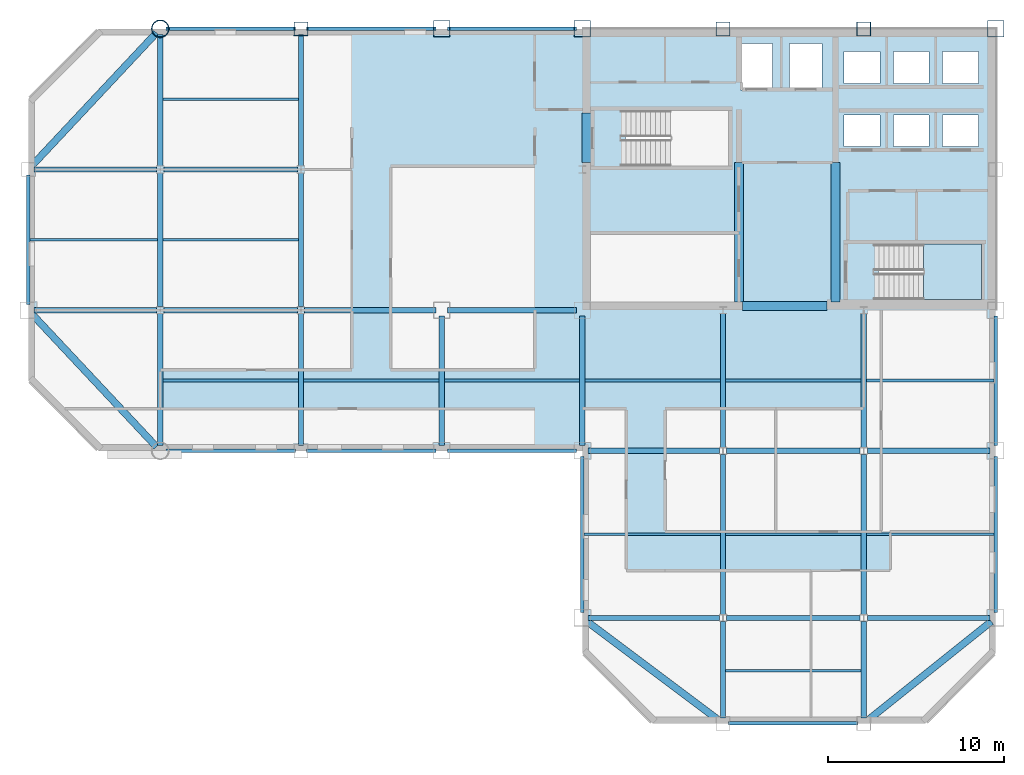
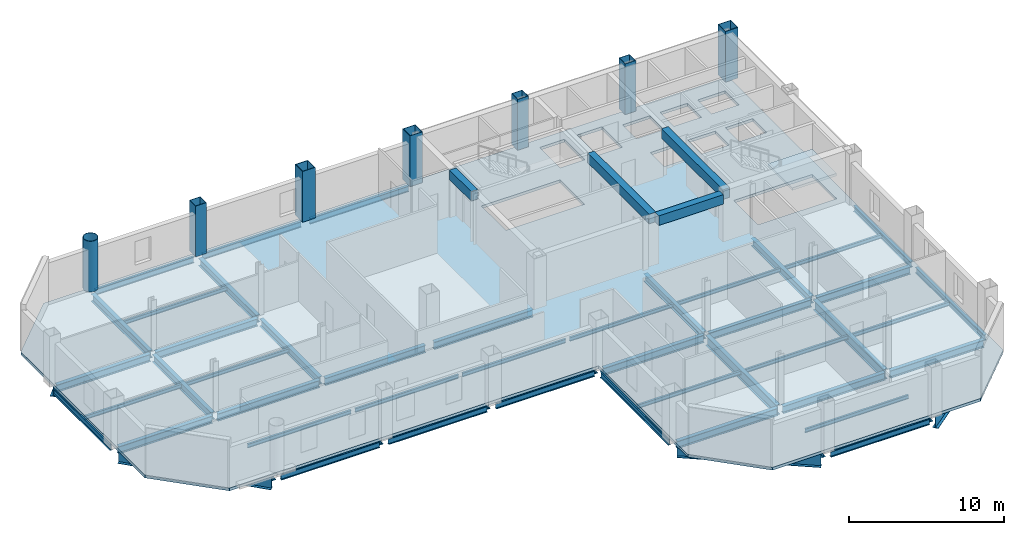
# One storey, part 3 of 10: 58 beams, 7 columns, 2 slabs, 1 element without a shape of its own.
"""IFC4 building model written with IfcOpenShell, lengths in metres."""

from ifc_helpers import new_model, si_unit, direction, frame, origin, origin_2d, place, context, subcontext, project, spatial, polyline, rectangle, hollow_rectangle, hollow_circle, i_section, outline, extrude, material, layer, layer_set, material_profile, profile_set, type_object, element, aggregate, save


model = new_model("IFC4")

# Units and contexts
model_context = context("Model", 3, precision=1e-05, world=origin(), true_north=direction((0.0, 1.0)))
body_context = subcontext(model_context, "Body", "Model", "MODEL_VIEW")
ifc_project = project(units=[si_unit("LENGTHUNIT", "METRE"), si_unit("AREAUNIT", "SQUARE_METRE"), si_unit("VOLUMEUNIT", "CUBIC_METRE"), si_unit("PLANEANGLEUNIT", "RADIAN"), si_unit("MASSUNIT", "GRAM", prefix="KILO")], contexts=[model_context])

# Site, building, storey
site_placement = place(None, origin())
site = spatial("IfcSite", under=ifc_project, at=site_placement, CompositionType="ELEMENT")
building_placement = place(site_placement, origin())
building = spatial("IfcBuilding", under=site, at=building_placement, Name="Qianrong Seaharbour Tower", CompositionType="ELEMENT")
storey_placement = place(building_placement, frame((0.0, 0.0, 249.800048828125)))
storey = spatial("IfcBuildingStorey", under=building, at=storey_placement, Name="L60", CompositionType="ELEMENT", Elevation=249.800048828125)

# Columns
ifc_material_1 = material(Name="Structural steel SN490B", Category="steel")
ifc_material_profile_1 = material_profile(ifc_material_1, hollow_rectangle(XDim=0.949951171875, YDim=0.949951171875, WallThickness=0.035888671875, at=origin_2d()), Name="BOX950x950x36")
ifc_profile_set_1 = profile_set([ifc_material_profile_1], Name="Structural steel SN490B")
column_type_1 = type_object("IfcColumnType", Name="COL-CFT-950", PredefinedType="COLUMN", material=ifc_profile_set_1)
for number, where, z_axis, x_axis, name in (
    (1, (32.5, 52.0, 0.0), (0.0, 0.0, 1.0), (1.0, 0.0, 0.0), "L60 Column MC-4 at G5/GH"),
    (2, (40.5, 52.0, 0.0), (0.0, 0.0, 1.0), (1.0, 0.0, 0.0), "L60 Column MC-4 at G6/GH"),
    (3, (64.0, 52.0, 0.0), (0.0, 0.0, 1.0), (1.0, 0.0, 0.0), "L60 Column MC-4 at G9/GH"),
):
    element("IfcColumn", number, at=place(storey_placement, frame(where, z_axis=z_axis, x_axis=x_axis)), inside=storey, type_object=column_type_1, Name=name, PredefinedType="COLUMN", context=body_context, shape_type="SweptSolid", body=[
        extrude(hollow_rectangle(XDim=0.949951171875, YDim=0.949951171875, WallThickness=0.035888671875, at=origin_2d()), origin(), (0.0, 0.0, 1.0), 4.0),
    ])
ifc_material_profile_2 = material_profile(ifc_material_1, hollow_circle(Radius=0.5, WallThickness=0.035888671875, at=origin_2d()), Name="CHS1000x36")
ifc_profile_set_2 = profile_set([ifc_material_profile_2], Name="Structural steel SN490B")
column_type_2 = type_object("IfcColumnType", Name="COL-CHS-1000", PredefinedType="COLUMN", material=ifc_profile_set_2)
column_placement = place(storey_placement, frame((16.5, 52.0, 0.0), z_axis=(0.0, 0.0, 1.0), x_axis=(1.0, 0.0, 0.0)))
element("IfcColumn", 4, at=column_placement, inside=storey, type_object=column_type_2, Name="L60 Column CC-2 at G3/GH", PredefinedType="COLUMN", context=body_context, shape_type="SweptSolid", body=[
    extrude(hollow_circle(Radius=0.5, WallThickness=0.035888671875, at=origin_2d()), origin(), (0.0, 0.0, 1.0), 4.0),
])
ifc_material_profile_3 = material_profile(ifc_material_1, hollow_rectangle(XDim=0.800048828125, YDim=0.800048828125, WallThickness=0.031982421875, at=origin_2d()), Name="BOX800x800x32")
ifc_profile_set_3 = profile_set([ifc_material_profile_3], Name="Structural steel SN490B")
column_type_3 = type_object("IfcColumnType", Name="COL-PER-800", PredefinedType="COLUMN", material=ifc_profile_set_3)
for number, where, z_axis, x_axis, name in (
    (5, (24.5, 52.0, 0.0), (0.0, 0.0, 1.0), (1.0, 0.0, 0.0), "L60 Column PC-3 at G4/GH"),
    (6, (48.5, 52.0, 0.0), (0.0, 0.0, 1.0), (1.0, 0.0, 0.0), "L60 Column PC-3 at G7/GH"),
    (7, (56.5, 52.0, 0.0), (0.0, 0.0, 1.0), (1.0, 0.0, 0.0), "L60 Column PC-3 at G8/GH"),
):
    element("IfcColumn", number, at=place(storey_placement, frame(where, z_axis=z_axis, x_axis=x_axis)), inside=storey, type_object=column_type_3, Name=name, PredefinedType="COLUMN", context=body_context, shape_type="SweptSolid", body=[
        extrude(hollow_rectangle(XDim=0.800048828125, YDim=0.800048828125, WallThickness=0.031982421875, at=origin_2d()), origin(), (0.0, 0.0, 1.0), 4.0),
    ])

# Beams
ifc_material_profile_4 = material_profile(ifc_material_1, i_section(OverallWidth=0.300048828125, OverallDepth=0.587890625, WebThickness=0.011962890625, FlangeThickness=0.02001953125, FilletRadius=0.02392578125, at=origin_2d()), Name="H588x300x12x20")
ifc_profile_set_4 = profile_set([ifc_material_profile_4], Name="Structural steel SN490B")
beam_type_1 = type_object("IfcBeamType", Name="BM-G-588", PredefinedType="BEAM", material=ifc_profile_set_4)
beam_1_placement = place(storey_placement, frame((40.820068359375, 18.5, -0.51904296875), z_axis=(1.0, 0.0, 0.0), x_axis=(0.0, 1.0, 0.0)))
element("IfcBeam", 8, at=beam_1_placement, inside=storey, type_object=beam_type_1, Name="L60 Primary Girder GD G6-G7", PredefinedType="BEAM", context=body_context, shape_type="SweptSolid", body=[
    extrude(i_section(OverallWidth=0.300048828125, OverallDepth=0.587890625, WebThickness=0.011962890625, FlangeThickness=0.02001953125, FilletRadius=0.02392578125, at=origin_2d()), origin(), (0.0, 0.0, 1.0), 7.47998046875),
])
beam_2_placement = place(storey_placement, frame((48.699951171875, 18.5, -0.51904296875), z_axis=(1.0, 0.0, 0.0), x_axis=(0.0, 1.0, 0.0)))
element("IfcBeam", 9, at=beam_2_placement, inside=storey, type_object=beam_type_1, Name="L60 Primary Girder GD G7-G8", PredefinedType="BEAM", context=body_context, shape_type="SweptSolid", body=[
    extrude(i_section(OverallWidth=0.300048828125, OverallDepth=0.587890625, WebThickness=0.011962890625, FlangeThickness=0.02001953125, FilletRadius=0.02392578125, at=origin_2d()), origin(), (0.0, 0.0, 1.0), 7.60009765625),
])
beam_3_placement = place(storey_placement, frame((56.699951171875, 18.5, -0.51904296875), z_axis=(1.0, 0.0, 0.0), x_axis=(0.0, 1.0, 0.0)))
element("IfcBeam", 10, at=beam_3_placement, inside=storey, type_object=beam_type_1, Name="L60 Primary Girder GD G8-G9", PredefinedType="BEAM", context=body_context, shape_type="SweptSolid", body=[
    extrude(i_section(OverallWidth=0.300048828125, OverallDepth=0.587890625, WebThickness=0.011962890625, FlangeThickness=0.02001953125, FilletRadius=0.02392578125, at=origin_2d()), origin(), (0.0, 0.0, 1.0), 6.97998046875),
])
beam_4_placement = place(storey_placement, frame((40.820068359375, 28.0, -0.51904296875), z_axis=(1.0, 0.0, 0.0), x_axis=(0.0, 1.0, 0.0)))
element("IfcBeam", 11, at=beam_4_placement, inside=storey, type_object=beam_type_1, Name="L60 Primary Girder GE G6-G7", PredefinedType="BEAM", context=body_context, shape_type="SweptSolid", body=[
    extrude(i_section(OverallWidth=0.300048828125, OverallDepth=0.587890625, WebThickness=0.011962890625, FlangeThickness=0.02001953125, FilletRadius=0.02392578125, at=origin_2d()), origin(), (0.0, 0.0, 1.0), 7.47998046875),
])
beam_5_placement = place(storey_placement, frame((48.699951171875, 28.0, -0.51904296875), z_axis=(1.0, 0.0, 0.0), x_axis=(0.0, 1.0, 0.0)))
element("IfcBeam", 12, at=beam_5_placement, inside=storey, type_object=beam_type_1, Name="L60 Primary Girder GE G7-G8", PredefinedType="BEAM", context=body_context, shape_type="SweptSolid", body=[
    extrude(i_section(OverallWidth=0.300048828125, OverallDepth=0.587890625, WebThickness=0.011962890625, FlangeThickness=0.02001953125, FilletRadius=0.02392578125, at=origin_2d()), origin(), (0.0, 0.0, 1.0), 7.60009765625),
])
for number, where, z_axis, x_axis, name in (
    (13, (56.699951171875, 28.0, -0.51904296875), (1.0, 0.0, 0.0), (0.0, 1.0, 0.0), "L60 Primary Girder GE G8-G9"),
    (14, (9.320068359375, 36.0, -0.51904296875), (1.0, 0.0, 0.0), (0.0, 1.0, 0.0), "L60 Primary Girder GF G2-G3"),
):
    element("IfcBeam", number, at=place(storey_placement, frame(where, z_axis=z_axis, x_axis=x_axis)), inside=storey, type_object=beam_type_1, Name=name, PredefinedType="BEAM", context=body_context, shape_type="SweptSolid", body=[
        extrude(i_section(OverallWidth=0.300048828125, OverallDepth=0.587890625, WebThickness=0.011962890625, FlangeThickness=0.02001953125, FilletRadius=0.02392578125, at=origin_2d()), origin(), (0.0, 0.0, 1.0), 6.97998046875),
    ])
beam_6_placement = place(storey_placement, frame((16.699951171875, 36.0, -0.51904296875), z_axis=(1.0, 0.0, 0.0), x_axis=(0.0, 1.0, 0.0)))
element("IfcBeam", 15, at=beam_6_placement, inside=storey, type_object=beam_type_1, Name="L60 Primary Girder GF G3-G4", PredefinedType="BEAM", context=body_context, shape_type="SweptSolid", body=[
    extrude(i_section(OverallWidth=0.300048828125, OverallDepth=0.587890625, WebThickness=0.011962890625, FlangeThickness=0.02001953125, FilletRadius=0.02392578125, at=origin_2d()), origin(), (0.0, 0.0, 1.0), 7.60009765625),
])
beam_7_placement = place(storey_placement, frame((24.699951171875, 36.0, -0.51904296875), z_axis=(1.0, 0.0, 0.0), x_axis=(0.0, 1.0, 0.0)))
element("IfcBeam", 16, at=beam_7_placement, inside=storey, type_object=beam_type_1, Name="L60 Primary Girder GF G4-G5", PredefinedType="BEAM", context=body_context, shape_type="SweptSolid", body=[
    extrude(i_section(OverallWidth=0.300048828125, OverallDepth=0.587890625, WebThickness=0.011962890625, FlangeThickness=0.02001953125, FilletRadius=0.02392578125, at=origin_2d()), origin(), (0.0, 0.0, 1.0), 7.47998046875),
])
beam_8_placement = place(storey_placement, frame((32.820068359375, 36.0, -0.51904296875), z_axis=(1.0, 0.0, 0.0), x_axis=(0.0, 1.0, 0.0)))
element("IfcBeam", 17, at=beam_8_placement, inside=storey, type_object=beam_type_1, Name="L60 Primary Girder GF G5-G6", PredefinedType="BEAM", context=body_context, shape_type="SweptSolid", body=[
    extrude(i_section(OverallWidth=0.300048828125, OverallDepth=0.587890625, WebThickness=0.011962890625, FlangeThickness=0.02001953125, FilletRadius=0.02392578125, at=origin_2d()), origin(), (0.0, 0.0, 1.0), 7.35986328125),
])
beam_9_placement = place(storey_placement, frame((9.320068359375, 44.0, -0.51904296875), z_axis=(1.0, 0.0, 0.0), x_axis=(0.0, 1.0, 0.0)))
element("IfcBeam", 18, at=beam_9_placement, inside=storey, type_object=beam_type_1, Name="L60 Primary Girder GG G2-G3", PredefinedType="BEAM", context=body_context, shape_type="SweptSolid", body=[
    extrude(i_section(OverallWidth=0.300048828125, OverallDepth=0.587890625, WebThickness=0.011962890625, FlangeThickness=0.02001953125, FilletRadius=0.02392578125, at=origin_2d()), origin(), (0.0, 0.0, 1.0), 6.97998046875),
])
beam_10_placement = place(storey_placement, frame((16.699951171875, 44.0, -0.51904296875), z_axis=(1.0, 0.0, 0.0), x_axis=(0.0, 1.0, 0.0)))
element("IfcBeam", 19, at=beam_10_placement, inside=storey, type_object=beam_type_1, Name="L60 Primary Girder GG G3-G4", PredefinedType="BEAM", context=body_context, shape_type="SweptSolid", body=[
    extrude(i_section(OverallWidth=0.300048828125, OverallDepth=0.587890625, WebThickness=0.011962890625, FlangeThickness=0.02001953125, FilletRadius=0.02392578125, at=origin_2d()), origin(), (0.0, 0.0, 1.0), 7.60009765625),
])
beam_11_placement = place(storey_placement, frame((16.5, 28.320068359375, -0.51904296875), z_axis=(0.0, 1.0, 0.0), x_axis=(-1.0, 0.0, 0.0)))
element("IfcBeam", 20, at=beam_11_placement, inside=storey, type_object=beam_type_1, Name="L60 Primary Girder G3 GE-GF", PredefinedType="BEAM", context=body_context, shape_type="SweptSolid", body=[
    extrude(i_section(OverallWidth=0.300048828125, OverallDepth=0.587890625, WebThickness=0.011962890625, FlangeThickness=0.02001953125, FilletRadius=0.02392578125, at=origin_2d()), origin(), (0.0, 0.0, 1.0), 7.47998046875),
])
beam_12_placement = place(storey_placement, frame((16.5, 36.199951171875, -0.51904296875), z_axis=(0.0, 1.0, 0.0), x_axis=(-1.0, 0.0, 0.0)))
element("IfcBeam", 21, at=beam_12_placement, inside=storey, type_object=beam_type_1, Name="L60 Primary Girder G3 GF-GG", PredefinedType="BEAM", context=body_context, shape_type="SweptSolid", body=[
    extrude(i_section(OverallWidth=0.300048828125, OverallDepth=0.587890625, WebThickness=0.011962890625, FlangeThickness=0.02001953125, FilletRadius=0.02392578125, at=origin_2d()), origin(), (0.0, 0.0, 1.0), 7.60009765625),
])
for number, where, z_axis, x_axis, name in (
    (22, (16.5, 44.199951171875, -0.51904296875), (0.0, 1.0, 0.0), (-1.0, 0.0, 0.0), "L60 Primary Girder G3 GG-GH"),
    (23, (24.5, 28.320068359375, -0.51904296875), (0.0, 1.0, 0.0), (-1.0, 0.0, 0.0), "L60 Primary Girder G4 GE-GF"),
):
    element("IfcBeam", number, at=place(storey_placement, frame(where, z_axis=z_axis, x_axis=x_axis)), inside=storey, type_object=beam_type_1, Name=name, PredefinedType="BEAM", context=body_context, shape_type="SweptSolid", body=[
        extrude(i_section(OverallWidth=0.300048828125, OverallDepth=0.587890625, WebThickness=0.011962890625, FlangeThickness=0.02001953125, FilletRadius=0.02392578125, at=origin_2d()), origin(), (0.0, 0.0, 1.0), 7.47998046875),
    ])
beam_13_placement = place(storey_placement, frame((24.5, 36.199951171875, -0.51904296875), z_axis=(0.0, 1.0, 0.0), x_axis=(-1.0, 0.0, 0.0)))
element("IfcBeam", 24, at=beam_13_placement, inside=storey, type_object=beam_type_1, Name="L60 Primary Girder G4 GF-GG", PredefinedType="BEAM", context=body_context, shape_type="SweptSolid", body=[
    extrude(i_section(OverallWidth=0.300048828125, OverallDepth=0.587890625, WebThickness=0.011962890625, FlangeThickness=0.02001953125, FilletRadius=0.02392578125, at=origin_2d()), origin(), (0.0, 0.0, 1.0), 7.60009765625),
])
beam_14_placement = place(storey_placement, frame((24.5, 44.199951171875, -0.51904296875), z_axis=(0.0, 1.0, 0.0), x_axis=(-1.0, 0.0, 0.0)))
element("IfcBeam", 25, at=beam_14_placement, inside=storey, type_object=beam_type_1, Name="L60 Primary Girder G4 GG-GH", PredefinedType="BEAM", context=body_context, shape_type="SweptSolid", body=[
    extrude(i_section(OverallWidth=0.300048828125, OverallDepth=0.587890625, WebThickness=0.011962890625, FlangeThickness=0.02001953125, FilletRadius=0.02392578125, at=origin_2d()), origin(), (0.0, 0.0, 1.0), 7.47998046875),
])
for number, where, z_axis, x_axis, name in (
    (26, (32.5, 28.320068359375, -0.51904296875), (0.0, 1.0, 0.0), (-1.0, 0.0, 0.0), "L60 Primary Girder G5 GE-GF"),
    (27, (40.5, 28.320068359375, -0.51904296875), (0.0, 1.0, 0.0), (-1.0, 0.0, 0.0), "L60 Primary Girder G6 GE-GF"),
):
    element("IfcBeam", number, at=place(storey_placement, frame(where, z_axis=z_axis, x_axis=x_axis)), inside=storey, type_object=beam_type_1, Name=name, PredefinedType="BEAM", context=body_context, shape_type="SweptSolid", body=[
        extrude(i_section(OverallWidth=0.300048828125, OverallDepth=0.587890625, WebThickness=0.011962890625, FlangeThickness=0.02001953125, FilletRadius=0.02392578125, at=origin_2d()), origin(), (0.0, 0.0, 1.0), 7.35986328125),
    ])
beam_15_placement = place(storey_placement, frame((48.5, 12.820068359375, -0.51904296875), z_axis=(0.0, 1.0, 0.0), x_axis=(-1.0, 0.0, 0.0)))
element("IfcBeam", 28, at=beam_15_placement, inside=storey, type_object=beam_type_1, Name="L60 Primary Girder G7 GC-GD", PredefinedType="BEAM", context=body_context, shape_type="SweptSolid", body=[
    extrude(i_section(OverallWidth=0.300048828125, OverallDepth=0.587890625, WebThickness=0.011962890625, FlangeThickness=0.02001953125, FilletRadius=0.02392578125, at=origin_2d()), origin(), (0.0, 0.0, 1.0), 5.47998046875),
])
beam_16_placement = place(storey_placement, frame((48.5, 28.199951171875, -0.51904296875), z_axis=(0.0, 1.0, 0.0), x_axis=(-1.0, 0.0, 0.0)))
element("IfcBeam", 29, at=beam_16_placement, inside=storey, type_object=beam_type_1, Name="L60 Primary Girder G7 GE-GF", PredefinedType="BEAM", context=body_context, shape_type="SweptSolid", body=[
    extrude(i_section(OverallWidth=0.300048828125, OverallDepth=0.587890625, WebThickness=0.011962890625, FlangeThickness=0.02001953125, FilletRadius=0.02392578125, at=origin_2d()), origin(), (0.0, 0.0, 1.0), 7.60009765625),
])
beam_17_placement = place(storey_placement, frame((56.5, 12.820068359375, -0.51904296875), z_axis=(0.0, 1.0, 0.0), x_axis=(-1.0, 0.0, 0.0)))
element("IfcBeam", 30, at=beam_17_placement, inside=storey, type_object=beam_type_1, Name="L60 Primary Girder G8 GC-GD", PredefinedType="BEAM", context=body_context, shape_type="SweptSolid", body=[
    extrude(i_section(OverallWidth=0.300048828125, OverallDepth=0.587890625, WebThickness=0.011962890625, FlangeThickness=0.02001953125, FilletRadius=0.02392578125, at=origin_2d()), origin(), (0.0, 0.0, 1.0), 5.47998046875),
])
beam_18_placement = place(storey_placement, frame((56.5, 28.199951171875, -0.51904296875), z_axis=(0.0, 1.0, 0.0), x_axis=(-1.0, 0.0, 0.0)))
element("IfcBeam", 31, at=beam_18_placement, inside=storey, type_object=beam_type_1, Name="L60 Primary Girder G8 GE-GF", PredefinedType="BEAM", context=body_context, shape_type="SweptSolid", body=[
    extrude(i_section(OverallWidth=0.300048828125, OverallDepth=0.587890625, WebThickness=0.011962890625, FlangeThickness=0.02001953125, FilletRadius=0.02392578125, at=origin_2d()), origin(), (0.0, 0.0, 1.0), 7.60009765625),
])
ifc_material_profile_5 = material_profile(ifc_material_1, i_section(OverallWidth=0.300048828125, OverallDepth=0.800048828125, WebThickness=0.013916015625, FlangeThickness=0.02587890625, FilletRadius=0.028076171875, at=origin_2d()), Name="H800x300x14x26")
ifc_profile_set_5 = profile_set([ifc_material_profile_5], Name="Structural steel SN490B")
beam_type_2 = type_object("IfcBeamType", Name="BM-G-800", PredefinedType="BEAM", material=ifc_profile_set_5)
for number, where, z_axis, x_axis, name in (
    (32, (48.5, 18.699951171875, -0.625), (0.0, 1.0, 0.0), (-1.0, 0.0, 0.0), "L60 Primary Girder G7 GD-GE"),
    (33, (56.5, 18.699951171875, -0.625), (0.0, 1.0, 0.0), (-1.0, 0.0, 0.0), "L60 Primary Girder G8 GD-GE"),
):
    element("IfcBeam", number, at=place(storey_placement, frame(where, z_axis=z_axis, x_axis=x_axis)), inside=storey, type_object=beam_type_2, Name=name, PredefinedType="BEAM", context=body_context, shape_type="SweptSolid", body=[
        extrude(i_section(OverallWidth=0.300048828125, OverallDepth=0.800048828125, WebThickness=0.013916015625, FlangeThickness=0.02587890625, FilletRadius=0.028076171875, at=origin_2d()), origin(), (0.0, 0.0, 1.0), 9.10009765625),
    ])
ifc_material_2 = material(Name="Structural steel SN400B", Category="steel")
ifc_material_profile_6 = material_profile(ifc_material_2, i_section(OverallWidth=0.14990234375, OverallDepth=0.300048828125, WebThickness=0.006591796875, FlangeThickness=0.009033203125, FilletRadius=0.012939453125, at=origin_2d()), Name="H300x150x6.5x9")
ifc_profile_set_6 = profile_set([ifc_material_profile_6], Name="Structural steel SN400B")
beam_type_3 = type_object("IfcBeamType", Name="BM-J-300", PredefinedType="JOIST", material=ifc_profile_set_6)
beam_19_placement = place(storey_placement, frame((9.10009765625, 40.0, -0.375), z_axis=(1.0, 0.0, 0.0), x_axis=(0.0, 1.0, 0.0)))
element("IfcBeam", 34, at=beam_19_placement, inside=storey, type_object=beam_type_3, Name="L60 Composite Floor Joist G2-G3/GF-GG", PredefinedType="JOIST", context=body_context, shape_type="SweptSolid", body=[
    extrude(i_section(OverallWidth=0.14990234375, OverallDepth=0.300048828125, WebThickness=0.006591796875, FlangeThickness=0.009033203125, FilletRadius=0.012939453125, at=origin_2d()), origin(), (0.0, 0.0, 1.0), 7.25),
])
for number, where, z_axis, x_axis, name in (
    (35, (16.64990234375, 32.0, -0.375), (1.0, 0.0, 0.0), (0.0, 1.0, 0.0), "L60 Composite Floor Joist G3-G4/GE-GF"),
    (36, (16.64990234375, 40.0, -0.375), (1.0, 0.0, 0.0), (0.0, 1.0, 0.0), "L60 Composite Floor Joist G3-G4/GF-GG"),
    (37, (16.64990234375, 48.0, -0.375), (1.0, 0.0, 0.0), (0.0, 1.0, 0.0), "L60 Composite Floor Joist G3-G4/GG-GH"),
    (38, (24.64990234375, 32.0, -0.375), (1.0, 0.0, 0.0), (0.0, 1.0, 0.0), "L60 Composite Floor Joist G4-G5/GE-GF"),
    (39, (32.64990234375, 32.0, -0.375), (1.0, 0.0, 0.0), (0.0, 1.0, 0.0), "L60 Composite Floor Joist G5-G6/GE-GF"),
):
    element("IfcBeam", number, at=place(storey_placement, frame(where, z_axis=z_axis, x_axis=x_axis)), inside=storey, type_object=beam_type_3, Name=name, PredefinedType="JOIST", context=body_context, shape_type="SweptSolid", body=[
        extrude(i_section(OverallWidth=0.14990234375, OverallDepth=0.300048828125, WebThickness=0.006591796875, FlangeThickness=0.009033203125, FilletRadius=0.012939453125, at=origin_2d()), origin(), (0.0, 0.0, 1.0), 7.7001953125),
    ])
beam_20_placement = place(storey_placement, frame((40.60009765625, 23.25, -0.375), z_axis=(1.0, 0.0, 0.0), x_axis=(0.0, 1.0, 0.0)))
element("IfcBeam", 40, at=beam_20_placement, inside=storey, type_object=beam_type_3, Name="L60 Composite Floor Joist G6-G7/GD-GE", PredefinedType="JOIST", context=body_context, shape_type="SweptSolid", body=[
    extrude(i_section(OverallWidth=0.14990234375, OverallDepth=0.300048828125, WebThickness=0.006591796875, FlangeThickness=0.009033203125, FilletRadius=0.012939453125, at=origin_2d()), origin(), (0.0, 0.0, 1.0), 7.75),
])
for number, where, z_axis, x_axis, name in (
    (41, (40.64990234375, 32.0, -0.375), (1.0, 0.0, 0.0), (0.0, 1.0, 0.0), "L60 Composite Floor Joist G6-G7/GE-GF"),
    (42, (48.64990234375, 15.5, -0.375), (1.0, 0.0, 0.0), (0.0, 1.0, 0.0), "L60 Composite Floor Joist G7-G8/GC-GD"),
    (43, (48.64990234375, 23.25, -0.375), (1.0, 0.0, 0.0), (0.0, 1.0, 0.0), "L60 Composite Floor Joist G7-G8/GD-GE"),
    (44, (48.64990234375, 32.0, -0.375), (1.0, 0.0, 0.0), (0.0, 1.0, 0.0), "L60 Composite Floor Joist G7-G8/GE-GF"),
):
    element("IfcBeam", number, at=place(storey_placement, frame(where, z_axis=z_axis, x_axis=x_axis)), inside=storey, type_object=beam_type_3, Name=name, PredefinedType="JOIST", context=body_context, shape_type="SweptSolid", body=[
        extrude(i_section(OverallWidth=0.14990234375, OverallDepth=0.300048828125, WebThickness=0.006591796875, FlangeThickness=0.009033203125, FilletRadius=0.012939453125, at=origin_2d()), origin(), (0.0, 0.0, 1.0), 7.7001953125),
    ])
for number, where, z_axis, x_axis, name in (
    (45, (56.64990234375, 23.25, -0.375), (1.0, 0.0, 0.0), (0.0, 1.0, 0.0), "L60 Composite Floor Joist G8-G9/GD-GE"),
    (46, (56.64990234375, 32.0, -0.375), (1.0, 0.0, 0.0), (0.0, 1.0, 0.0), "L60 Composite Floor Joist G8-G9/GE-GF"),
):
    element("IfcBeam", number, at=place(storey_placement, frame(where, z_axis=z_axis, x_axis=x_axis)), inside=storey, type_object=beam_type_3, Name=name, PredefinedType="JOIST", context=body_context, shape_type="SweptSolid", body=[
        extrude(i_section(OverallWidth=0.14990234375, OverallDepth=0.300048828125, WebThickness=0.006591796875, FlangeThickness=0.009033203125, FilletRadius=0.012939453125, at=origin_2d()), origin(), (0.0, 0.0, 1.0), 7.25),
    ])
ifc_material_3 = material(Name="Concrete C60/75", Category="concrete")
ifc_material_profile_7 = material_profile(ifc_material_3, rectangle(XDim=0.5, YDim=0.75, at=origin_2d()), Name="RC500x750")
ifc_profile_set_7 = profile_set([ifc_material_profile_7], Name="Concrete C60/75")
beam_type_4 = type_object("IfcBeamType", Name="BM-LINTEL-750", PredefinedType="LINTEL", material=ifc_profile_set_7)
beam_21_placement = place(storey_placement, frame((40.72998046875, 44.39990234375, 3.39990234375), z_axis=(0.0, 1.0, 0.0), x_axis=(-1.0, 0.0, 0.0)))
element("IfcBeam", 47, at=beam_21_placement, inside=storey, type_object=beam_type_4, Name="L60 Core Coupling Lintel Beam West", PredefinedType="LINTEL", context=body_context, shape_type="SweptSolid", body=[
    extrude(rectangle(XDim=0.5, YDim=0.75, at=origin_2d()), origin(), (0.0, 0.0, 1.0), 2.800048828125),
])
beam_22_placement = place(storey_placement, frame((49.60009765625, 36.22998046875, 3.39990234375), z_axis=(1.0, 0.0, 0.0), x_axis=(0.0, 1.0, 0.0)))
element("IfcBeam", 48, at=beam_22_placement, inside=storey, type_object=beam_type_4, Name="L60 Core Coupling Lintel Beam CBC", PredefinedType="LINTEL", context=body_context, shape_type="SweptSolid", body=[
    extrude(rectangle(XDim=0.5, YDim=0.75, at=origin_2d()), origin(), (0.0, 0.0, 1.0), 4.7998046875),
])
for number, where, z_axis, x_axis, name in (
    (49, (49.39990234375, 36.4599609375, 3.39990234375), (0.0, 1.0, 0.0), (-1.0, 0.0, 0.0), "L60 Internal Core Coupling Beam IW1"),
    (50, (54.89990234375, 36.4599609375, 3.39990234375), (0.0, 1.0, 0.0), (-1.0, 0.0, 0.0), "L60 Internal Core Coupling Beam IW2"),
):
    element("IfcBeam", number, at=place(storey_placement, frame(where, z_axis=z_axis, x_axis=x_axis)), inside=storey, type_object=beam_type_4, Name=name, PredefinedType="LINTEL", context=body_context, shape_type="SweptSolid", body=[
        extrude(rectangle(XDim=0.5, YDim=0.75, at=origin_2d()), origin(), (0.0, 0.0, 1.0), 7.93994140625),
    ])
ifc_material_profile_8 = material_profile(ifc_material_2, i_section(OverallWidth=0.199951171875, OverallDepth=0.449951171875, WebThickness=0.009033203125, FlangeThickness=0.013916015625, FilletRadius=0.01806640625, at=origin_2d()), Name="H450x200x9x14")
ifc_profile_set_8 = profile_set([ifc_material_profile_8], Name="Structural steel SN400B")
beam_type_5 = type_object("IfcBeamType", Name="BM-SP-450", PredefinedType="SPANDREL", material=ifc_profile_set_8)
for number, where, z_axis, x_axis, name in (
    (51, (48.820068359375, 12.5, -0.449951171875), (1.0, 0.0, 0.0), (0.0, 1.0, 0.0), "L60 Spandrel Girder GC G7-G8"),
    (52, (16.820068359375, 28.0, -0.449951171875), (1.0, 0.0, 0.0), (0.0, 1.0, 0.0), "L60 Spandrel Girder GE G3-G4"),
    (53, (24.820068359375, 28.0, -0.449951171875), (1.0, 0.0, 0.0), (0.0, 1.0, 0.0), "L60 Spandrel Girder GE G4-G5"),
    (54, (32.820068359375, 28.0, -0.449951171875), (1.0, 0.0, 0.0), (0.0, 1.0, 0.0), "L60 Spandrel Girder GE G5-G6"),
    (55, (16.820068359375, 52.0, -0.449951171875), (1.0, 0.0, 0.0), (0.0, 1.0, 0.0), "L60 Spandrel Girder GH G3-G4"),
    (56, (24.820068359375, 52.0, -0.449951171875), (1.0, 0.0, 0.0), (0.0, 1.0, 0.0), "L60 Spandrel Girder GH G4-G5"),
    (57, (32.820068359375, 52.0, -0.449951171875), (1.0, 0.0, 0.0), (0.0, 1.0, 0.0), "L60 Spandrel Girder GH G5-G6"),
    (58, (9.0, 36.320068359375, -0.449951171875), (0.0, 1.0, 0.0), (-1.0, 0.0, 0.0), "L60 Spandrel Girder G2 GF-GG"),
):
    element("IfcBeam", number, at=place(storey_placement, frame(where, z_axis=z_axis, x_axis=x_axis)), inside=storey, type_object=beam_type_5, Name=name, PredefinedType="SPANDREL", context=body_context, shape_type="SweptSolid", body=[
        extrude(i_section(OverallWidth=0.199951171875, OverallDepth=0.449951171875, WebThickness=0.009033203125, FlangeThickness=0.013916015625, FilletRadius=0.01806640625, at=origin_2d()), origin(), (0.0, 0.0, 1.0), 7.35986328125),
    ])
for number, where, z_axis, x_axis, name in (
    (59, (40.5, 18.820068359375, -0.449951171875), (0.0, 1.0, 0.0), (-1.0, 0.0, 0.0), "L60 Spandrel Girder G6 GD-GE"),
    (60, (64.0, 18.820068359375, -0.449951171875), (0.0, 1.0, 0.0), (-1.0, 0.0, 0.0), "L60 Spandrel Girder G9 GD-GE"),
):
    element("IfcBeam", number, at=place(storey_placement, frame(where, z_axis=z_axis, x_axis=x_axis)), inside=storey, type_object=beam_type_5, Name=name, PredefinedType="SPANDREL", context=body_context, shape_type="SweptSolid", body=[
        extrude(i_section(OverallWidth=0.199951171875, OverallDepth=0.449951171875, WebThickness=0.009033203125, FlangeThickness=0.013916015625, FilletRadius=0.01806640625, at=origin_2d()), origin(), (0.0, 0.0, 1.0), 8.85986328125),
    ])
beam_23_placement = place(storey_placement, frame((64.0, 28.320068359375, -0.449951171875), z_axis=(0.0, 1.0, 0.0), x_axis=(-1.0, 0.0, 0.0)))
element("IfcBeam", 61, at=beam_23_placement, inside=storey, type_object=beam_type_5, Name="L60 Spandrel Girder G9 GE-GF", PredefinedType="SPANDREL", context=body_context, shape_type="SweptSolid", body=[
    extrude(i_section(OverallWidth=0.199951171875, OverallDepth=0.449951171875, WebThickness=0.009033203125, FlangeThickness=0.013916015625, FilletRadius=0.01806640625, at=origin_2d()), origin(), (0.0, 0.0, 1.0), 7.35986328125),
])
ifc_material_profile_9 = material_profile(ifc_material_1, i_section(OverallWidth=0.39990234375, OverallDepth=1.10009765625, WebThickness=0.02001953125, FlangeThickness=0.035888671875, at=origin_2d()), Name="BH1100x400x20x36")
ifc_profile_set_9 = profile_set([ifc_material_profile_9], Name="Structural steel SN490B")
beam_type_6 = type_object("IfcBeamType", Name="BM-TG-1100", PredefinedType="BEAM", material=ifc_profile_set_9)
for number, where, z_axis, x_axis, name in (
    (62, (16.28125, 28.2333984375, -0.775146484375), (-0.683947420573, 0.729531305628, 0.0), (-0.729531305628, -0.683947420573, 0.0), "L60 Chamfer Corner Spandrel Girder G2/GE"),
    (63, (16.28125, 51.7666015625, -0.775146484375), (-0.683947420573, -0.729531305628, 0.0), (0.729531305628, -0.683947420573, 0.0), "L60 Chamfer Corner Spandrel Girder G2/GH"),
):
    element("IfcBeam", number, at=place(storey_placement, frame(where, z_axis=z_axis, x_axis=x_axis)), inside=storey, type_object=beam_type_6, Name=name, PredefinedType="BEAM", context=body_context, shape_type="SweptSolid", body=[
        extrude(i_section(OverallWidth=0.39990234375, OverallDepth=1.10009765625, WebThickness=0.02001953125, FlangeThickness=0.035888671875, at=origin_2d()), origin(), (0.0, 0.0, 1.0), 10.326171875),
    ])
beam_24_placement = place(storey_placement, frame((48.243896484375, 12.69189453125, -0.775146484375), z_axis=(-0.799981219482, 0.600025039875, 0.0), x_axis=(-0.600025039875, -0.799981219482, 0.0)))
element("IfcBeam", 64, at=beam_24_placement, inside=storey, type_object=beam_type_6, Name="L60 Chamfer Corner Spandrel Girder G6/GC", PredefinedType="BEAM", context=body_context, shape_type="SweptSolid", body=[
    extrude(i_section(OverallWidth=0.39990234375, OverallDepth=1.10009765625, WebThickness=0.02001953125, FlangeThickness=0.035888671875, at=origin_2d()), origin(), (0.0, 0.0, 1.0), 9.35986328125),
])
beam_25_placement = place(storey_placement, frame((56.75, 12.699951171875, -0.775146484375), z_axis=(0.780863495394, 0.624701690058, 0.0), x_axis=(-0.624701690058, 0.780863495394, 0.0)))
element("IfcBeam", 65, at=beam_25_placement, inside=storey, type_object=beam_type_6, Name="L60 Chamfer Corner Spandrel Girder G9/GC", PredefinedType="BEAM", context=body_context, shape_type="SweptSolid", body=[
    extrude(i_section(OverallWidth=0.39990234375, OverallDepth=1.10009765625, WebThickness=0.02001953125, FlangeThickness=0.035888671875, at=origin_2d()), origin(), (0.0, 0.0, 1.0), 8.96435546875),
])

# Stair, slab
ifc_material_4 = material(Name="Concrete C50/60", Category="concrete")
stair_type = type_object("IfcStairType", Name="STAIR-DOGLEG-1500-R22", PredefinedType="HALF_TURN_STAIR", material=ifc_material_4)
stair_placement = place(storey_placement, origin())
stair = element("IfcStair", 66, at=stair_placement, inside=storey, type_object=stair_type, Name="L60 Protected Escape Stair ST-2", PredefinedType="HALF_TURN_STAIR")
ifc_layer_1 = layer(ifc_material_4, 0.199951171875)
ifc_layer_set_1 = layer_set([ifc_layer_1], Name="Concrete C50/60")
slab_type_1 = type_object("IfcSlabType", Name="SLAB-STAIR-LANDING-200", PredefinedType="LANDING", material=ifc_layer_set_1)
slab_1_placement = place(storey_placement, frame((0.0, 0.0, 1.800048828125)))
slab_1 = element("IfcSlab", 67, at=slab_1_placement, type_object=slab_type_1, Name="ST-2 landing 1", PredefinedType="LANDING", context=body_context, shape_type="SweptSolid", body=[
    extrude(outline(polyline([(59.89990234375, 36.60009765625), (63.199951171875, 36.60009765625), (63.199951171875, 39.75), (59.89990234375, 39.75), (59.89990234375, 36.60009765625)])), origin(), (0.0, 0.0, 1.0), 0.199951171875),
])
aggregate(stair, [slab_1])

# Slab
ifc_layer_2 = layer(ifc_material_4, 0.22509765625)
ifc_layer_set_2 = layer_set([ifc_layer_2], Name="Concrete C50/60")
slab_type_2 = type_object("IfcSlabType", Name="SLAB-Z3-225", PredefinedType="FLOOR", material=ifc_layer_set_2)
slab_2_placement = place(storey_placement, frame((0.0, 0.0, -0.22509765625)))
element("IfcSlab", 68, at=slab_2_placement, inside=storey, type_object=slab_type_2, Name="L60 Structural Floor Slab", PredefinedType="FLOOR", context=body_context, shape_type="SweptSolid", body=[
    extrude(outline(polyline([(44.5, 12.5), (60.0, 12.5), (64.0, 16.5), (64.0, 52.0), (13.0, 52.0), (9.0, 48.0), (9.0, 32.0), (13.0, 28.0), (40.5, 28.0), (40.5, 16.5), (44.5, 12.5)]), holes=[polyline([(42.93994140625, 44.199951171875), (42.93994140625, 47.35009765625), (48.800048828125, 47.35009765625), (48.800048828125, 44.199951171875), (42.93994140625, 44.199951171875)]), polyline([(57.340087890625, 36.60009765625), (57.340087890625, 39.75), (63.199951171875, 39.75), (63.199951171875, 36.60009765625), (57.340087890625, 36.60009765625)]), polyline([(49.47998046875, 48.530029296875), (49.47998046875, 51.169921875), (51.320068359375, 51.169921875), (51.320068359375, 48.530029296875), (49.47998046875, 48.530029296875)]), polyline([(52.280029296875, 48.530029296875), (52.280029296875, 51.169921875), (54.1201171875, 51.169921875), (54.1201171875, 48.530029296875), (52.280029296875, 48.530029296875)]), polyline([(55.3798828125, 45.300048828125), (55.3798828125, 47.10009765625), (57.419921875, 47.10009765625), (57.419921875, 45.300048828125), (55.3798828125, 45.300048828125)]), polyline([(58.179931640625, 45.300048828125), (58.179931640625, 47.10009765625), (60.219970703125, 47.10009765625), (60.219970703125, 45.300048828125), (58.179931640625, 45.300048828125)]), polyline([(60.97998046875, 45.300048828125), (60.97998046875, 47.10009765625), (63.02001953125, 47.10009765625), (63.02001953125, 45.300048828125), (60.97998046875, 45.300048828125)]), polyline([(55.3798828125, 48.89990234375), (55.3798828125, 50.699951171875), (57.419921875, 50.699951171875), (57.419921875, 48.89990234375), (55.3798828125, 48.89990234375)]), polyline([(58.179931640625, 48.89990234375), (58.179931640625, 50.699951171875), (60.219970703125, 50.699951171875), (60.219970703125, 48.89990234375), (58.179931640625, 48.89990234375)]), polyline([(60.97998046875, 48.89990234375), (60.97998046875, 50.699951171875), (63.02001953125, 50.699951171875), (63.02001953125, 48.89990234375), (60.97998046875, 48.89990234375)])]), origin(), (0.0, 0.0, 1.0), 0.22509765625),
])

save(model, "model.ifc")
